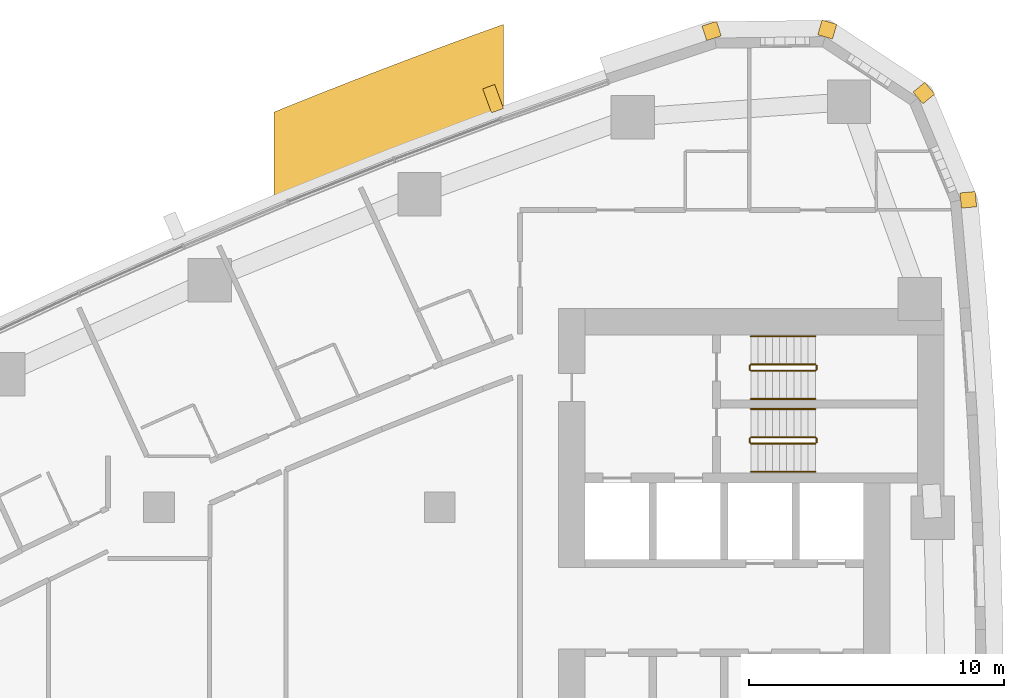
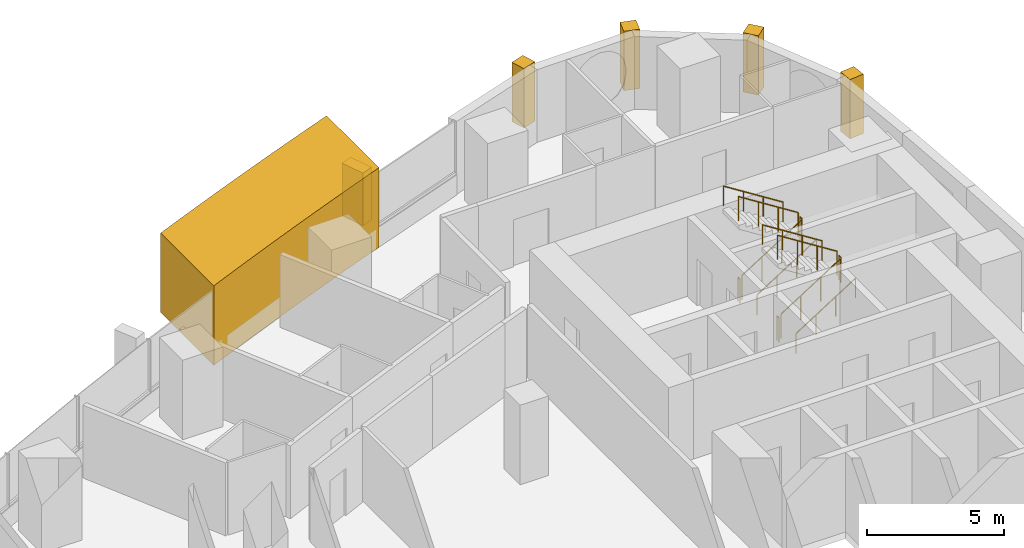
# One storey, part 17 of 17: 12 railings, 6 coverings.
"""IFC4 building model written with IfcOpenShell, lengths in metres."""

from ifc_helpers import new_model, si_unit, direction, frame, frame_2d, origin, origin_2d, place, context, subcontext, project, spatial, polyline, rectangle, circle, outline, extrude, material, layer, layer_set, type_object, element, save


model = new_model("IFC4")

# Units and contexts
model_context = context("Model", 3, precision=1e-05, world=origin(), true_north=direction((0.0, 1.0)))
body_context = subcontext(model_context, "Body", "Model", "MODEL_VIEW")
ifc_project = project(units=[si_unit("LENGTHUNIT", "METRE"), si_unit("AREAUNIT", "SQUARE_METRE"), si_unit("VOLUMEUNIT", "CUBIC_METRE"), si_unit("PLANEANGLEUNIT", "RADIAN"), si_unit("MASSUNIT", "GRAM", prefix="KILO")], contexts=[model_context])

# Site, building, storey
site_placement = place(None, origin())
site = spatial("IfcSite", under=ifc_project, at=site_placement, CompositionType="ELEMENT")
building_placement = place(site_placement, origin())
building = spatial("IfcBuilding", under=site, at=building_placement, Name="Ostrand Prow Hotel Tower", CompositionType="ELEMENT")
storey_placement = place(building_placement, frame((0.0, 0.0, 106.199951171875)))
storey = spatial("IfcBuildingStorey", under=building, at=storey_placement, Name="L25", CompositionType="ELEMENT", Elevation=106.199951171875)

# Coverings
ifc_material_1 = material(Name="Limestone cladding", Category="masonry")
ifc_layer_1 = layer(ifc_material_1, 5.0)
ifc_layer_set_1 = layer_set([ifc_layer_1], Name="Limestone cladding")
covering_type_1 = type_object("IfcCoveringType", Name="Portal jamb pilaster limestone", PredefinedType="CLADDING", material=ifc_layer_set_1)
covering_1_placement = place(storey_placement, origin())
element("IfcCovering", 1, at=covering_1_placement, inside=storey, type_object=covering_type_1, Name="Portal jamb NB L25", PredefinedType="CLADDING", context=body_context, shape_type="SweptSolid", body=[
    extrude(outline(polyline([(38.5, 20.59423828125), (39.5, 21.006103515625), (40.5, 21.412353515625), (41.5, 21.812744140625), (42.5, 22.207763671875), (43.5, 22.59716796875), (44.5, 22.98095703125), (45.5, 23.359130859375), (46.5, 23.732177734375), (47.5, 24.099609375), (47.5, 27.927490234375), (46.5, 27.566650390625), (45.5, 27.200439453125), (44.5, 26.8291015625), (43.5, 26.4521484375), (42.5, 26.06982421875), (41.5, 25.68212890625), (40.5, 25.2890625), (39.5, 24.890380859375), (38.5, 24.486083984375), (38.5, 20.59423828125)])), origin(), (0.0, 0.0, 1.0), 3.550048828125),
])
ifc_material_2 = material(Name="Limestone cladding", Category="masonry")
ifc_layer_2 = layer(ifc_material_2, 0.5)
ifc_layer_set_2 = layer_set([ifc_layer_2], Name="Limestone cladding")
covering_type_2 = type_object("IfcCoveringType", Name="Precast stone fin 500x900", PredefinedType="CLADDING", material=ifc_layer_set_2)
covering_2_placement = place(storey_placement, frame((47.265380859375, 24.546142578125, 0.900146484375), z_axis=(0.0, 0.0, 1.0), x_axis=(-0.342762160206, 0.93942221686, 0.0)))
element("IfcCovering", 2, at=covering_2_placement, inside=storey, type_object=covering_type_2, Name="Stone fin N 2", PredefinedType="CLADDING", context=body_context, shape_type="SweptSolid", body=[
    extrude(rectangle(XDim=1.0, YDim=0.5, at=frame_2d((0.5, 0.0))), origin(), (0.0, 0.0, 1.0), 2.349853515625),
])
ifc_material_3 = material(Name="Limestone cladding", Category="masonry")
ifc_layer_3 = layer(ifc_material_3, 0.60009765625)
ifc_layer_set_3 = layer_set([ifc_layer_3], Name="Limestone cladding")
covering_type_3 = type_object("IfcCoveringType", Name="Precast stone prow rib 600x600", PredefinedType="CLADDING", material=ifc_layer_set_3)
for number, where, z_axis, x_axis, name in (
    (3, (65.41650390625, 21.02099609375, 0.60009765625), (0.0, 0.0, 1.0), (0.99529571972, 0.096883591531, 0.0), "Stone corner rib 15a"),
    (4, (63.74365234375, 25.043212890625, 0.60009765625), (0.0, 0.0, 1.0), (0.770318500913, 0.637659319034, 0.0), "Stone corner rib 16a"),
):
    element("IfcCovering", number, at=place(storey_placement, frame(where, z_axis=z_axis, x_axis=x_axis)), inside=storey, type_object=covering_type_3, Name=name, PredefinedType="CLADDING", context=body_context, shape_type="SweptSolid", body=[
        extrude(rectangle(XDim=0.599853515625, YDim=0.60009765625, at=frame_2d((0.2998046875, 0.0))), origin(), (0.0, 0.0, 1.0), 2.64990234375),
    ])
covering_3_placement = place(storey_placement, frame((60.104736328125, 27.437744140625, 0.60009765625), z_axis=(0.0, 0.0, 1.0), x_axis=(0.280734221166, 0.959785547436, 0.0)))
element("IfcCovering", 5, at=covering_3_placement, inside=storey, type_object=covering_type_3, Name="Stone corner rib 17a", PredefinedType="CLADDING", context=body_context, shape_type="SweptSolid", body=[
    extrude(rectangle(XDim=0.60009765625, YDim=0.60009765625, at=frame_2d((0.300048828125, 0.0))), origin(), (0.0, 0.0, 1.0), 2.64990234375),
])
covering_4_placement = place(storey_placement, frame((55.7490234375, 27.3828125, 0.60009765625), z_axis=(0.0, 0.0, 1.0), x_axis=(-0.305218682065, 0.952282288042, 0.0)))
element("IfcCovering", 6, at=covering_4_placement, inside=storey, type_object=covering_type_3, Name="Stone corner rib 17b", PredefinedType="CLADDING", context=body_context, shape_type="SweptSolid", body=[
    extrude(rectangle(XDim=0.599853515625, YDim=0.60009765625, at=frame_2d((0.2998046875, 0.0))), origin(), (0.0, 0.0, 1.0), 2.64990234375),
])

# Railings
ifc_material_4 = material(Name="Painted steel", Category="steel")
railing_type_1 = type_object("IfcRailingType", Name="Stair guard 1100", PredefinedType="GUARDRAIL", material=ifc_material_4)
railing_1_placement = place(storey_placement, frame((57.199951171875, 11.5, 0.177490234375)))
element("IfcRailing", 7, at=railing_1_placement, inside=storey, type_object=railing_type_1, Name="L25 ST1C stair guard 1", PredefinedType="GUARDRAIL", context=body_context, shape_type="SweptSolid", body=[
    extrude(circle(Radius=0.02392578125, at=origin_2d()), frame((0.0, 0.0, 1.076171875), z_axis=(0.84456994832, 0.0, 0.535445237532), x_axis=(0.0, 1.0, 0.0)), (0.0, 0.0, 1.0), 2.98388671875),
    extrude(circle(Radius=0.02099609375, at=origin_2d()), origin(), (0.0, 0.0, 1.0), 1.052001953125),
    extrude(circle(Radius=0.02099609375, at=origin_2d()), frame((0.840087890625, 0.0, 0.532470703125)), (0.0, 0.0, 1.0), 1.052001953125),
    extrude(circle(Radius=0.02099609375, at=origin_2d()), frame((1.679931640625, 0.0, 1.065185546875)), (0.0, 0.0, 1.0), 1.052001953125),
    extrude(circle(Radius=0.02099609375, at=origin_2d()), frame((2.52001953125, 0.0, 1.59765625)), (0.0, 0.0, 1.0), 1.052001953125),
])
railing_2_placement = place(storey_placement, frame((59.77001953125, 11.550048828125, 1.775146484375)))
element("IfcRailing", 8, at=railing_2_placement, inside=storey, type_object=railing_type_1, Name="L25 ST1C stair guard 2", PredefinedType="GUARDRAIL", context=body_context, shape_type="SweptSolid", body=[
    extrude(circle(Radius=0.02392578125, at=origin_2d()), frame((0.0, 0.0, 1.076171875), z_axis=(0.0, 1.0, 0.0), x_axis=(-1.0, 0.0, 0.0)), (0.0, 0.0, 1.0), 0.14990234375),
    extrude(circle(Radius=0.02099609375, at=origin_2d()), origin(), (0.0, 0.0, 1.0), 1.052001953125),
    extrude(circle(Radius=0.02099609375, at=origin_2d()), frame((0.0, 0.14990234375, 0.0)), (0.0, 0.0, 1.0), 1.052001953125),
])
railing_3_placement = place(storey_placement, frame((59.719970703125, 11.75, 1.95263671875)))
element("IfcRailing", 9, at=railing_3_placement, inside=storey, type_object=railing_type_1, Name="L25 ST1C stair guard 3", PredefinedType="GUARDRAIL", context=body_context, shape_type="SweptSolid", body=[
    extrude(circle(Radius=0.02392578125, at=origin_2d()), frame((0.0, 0.0, 1.076171875), z_axis=(-0.84460694969, 0.0, 0.535386869969), x_axis=(0.0, -1.0, 0.0)), (0.0, 0.0, 1.0), 2.983642578125),
    extrude(circle(Radius=0.02099609375, at=origin_2d()), origin(), (0.0, 0.0, 1.0), 1.052001953125),
    extrude(circle(Radius=0.02099609375, at=origin_2d()), frame((-0.840087890625, 0.0, 0.532470703125)), (0.0, 0.0, 1.0), 1.052001953125),
    extrude(circle(Radius=0.02099609375, at=origin_2d()), frame((-1.679931640625, 0.0, 1.06494140625)), (0.0, 0.0, 1.0), 1.052001953125),
    extrude(circle(Radius=0.02099609375, at=origin_2d()), frame((-2.52001953125, 0.0, 1.597412109375)), (0.0, 0.0, 1.0), 1.052001953125),
])
railing_4_placement = place(storey_placement, frame((57.14990234375, 11.550048828125, 0.0)))
element("IfcRailing", 10, at=railing_4_placement, inside=storey, type_object=railing_type_1, Name="L25 ST1C stair guard 4", PredefinedType="GUARDRAIL", context=body_context, shape_type="SweptSolid", body=[
    extrude(circle(Radius=0.02392578125, at=origin_2d()), frame((0.0, 0.0, 1.076171875), z_axis=(0.0, 1.0, 0.0), x_axis=(-1.0, 0.0, 0.0)), (0.0, 0.0, 1.0), 0.14990234375),
    extrude(circle(Radius=0.02099609375, at=origin_2d()), origin(), (0.0, 0.0, 1.0), 1.052001953125),
    extrude(circle(Radius=0.02099609375, at=origin_2d()), frame((0.0, 0.14990234375, 0.0)), (0.0, 0.0, 1.0), 1.052001953125),
])
railing_5_placement = place(storey_placement, frame((57.199951171875, 14.35009765625, 0.177490234375)))
element("IfcRailing", 11, at=railing_5_placement, inside=storey, type_object=railing_type_1, Name="L25 ST3C stair guard 1", PredefinedType="GUARDRAIL", context=body_context, shape_type="SweptSolid", body=[
    extrude(circle(Radius=0.02392578125, at=origin_2d()), frame((0.0, 0.0, 1.076171875), z_axis=(0.84456994832, 0.0, 0.535445237532), x_axis=(0.0, 1.0, 0.0)), (0.0, 0.0, 1.0), 2.98388671875),
    extrude(circle(Radius=0.02099609375, at=origin_2d()), origin(), (0.0, 0.0, 1.0), 1.052001953125),
    extrude(circle(Radius=0.02099609375, at=origin_2d()), frame((0.840087890625, 0.0, 0.532470703125)), (0.0, 0.0, 1.0), 1.052001953125),
    extrude(circle(Radius=0.02099609375, at=origin_2d()), frame((1.679931640625, 0.0, 1.065185546875)), (0.0, 0.0, 1.0), 1.052001953125),
    extrude(circle(Radius=0.02099609375, at=origin_2d()), frame((2.52001953125, 0.0, 1.59765625)), (0.0, 0.0, 1.0), 1.052001953125),
])
railing_6_placement = place(storey_placement, frame((59.77001953125, 14.39990234375, 1.775146484375)))
element("IfcRailing", 12, at=railing_6_placement, inside=storey, type_object=railing_type_1, Name="L25 ST3C stair guard 2", PredefinedType="GUARDRAIL", context=body_context, shape_type="SweptSolid", body=[
    extrude(circle(Radius=0.02392578125, at=origin_2d()), frame((0.0, 0.0, 1.076171875), z_axis=(0.0, 1.0, 0.0), x_axis=(-1.0, 0.0, 0.0)), (0.0, 0.0, 1.0), 0.150146484375),
    extrude(circle(Radius=0.02099609375, at=origin_2d()), origin(), (0.0, 0.0, 1.0), 1.052001953125),
    extrude(circle(Radius=0.02099609375, at=origin_2d()), frame((0.0, 0.150146484375, 0.0)), (0.0, 0.0, 1.0), 1.052001953125),
])
railing_7_placement = place(storey_placement, frame((59.719970703125, 14.60009765625, 1.95263671875)))
element("IfcRailing", 13, at=railing_7_placement, inside=storey, type_object=railing_type_1, Name="L25 ST3C stair guard 3", PredefinedType="GUARDRAIL", context=body_context, shape_type="SweptSolid", body=[
    extrude(circle(Radius=0.02392578125, at=origin_2d()), frame((0.0, 0.0, 1.076171875), z_axis=(-0.84460694969, 0.0, 0.535386869969), x_axis=(0.0, -1.0, 0.0)), (0.0, 0.0, 1.0), 2.983642578125),
    extrude(circle(Radius=0.02099609375, at=origin_2d()), origin(), (0.0, 0.0, 1.0), 1.052001953125),
    extrude(circle(Radius=0.02099609375, at=origin_2d()), frame((-0.840087890625, 0.0, 0.532470703125)), (0.0, 0.0, 1.0), 1.052001953125),
    extrude(circle(Radius=0.02099609375, at=origin_2d()), frame((-1.679931640625, 0.0, 1.06494140625)), (0.0, 0.0, 1.0), 1.052001953125),
    extrude(circle(Radius=0.02099609375, at=origin_2d()), frame((-2.52001953125, 0.0, 1.597412109375)), (0.0, 0.0, 1.0), 1.052001953125),
])
railing_8_placement = place(storey_placement, frame((57.14990234375, 14.39990234375, 0.0)))
element("IfcRailing", 14, at=railing_8_placement, inside=storey, type_object=railing_type_1, Name="L25 ST3C stair guard 4", PredefinedType="GUARDRAIL", context=body_context, shape_type="SweptSolid", body=[
    extrude(circle(Radius=0.02392578125, at=origin_2d()), frame((0.0, 0.0, 1.076171875), z_axis=(0.0, 1.0, 0.0), x_axis=(-1.0, 0.0, 0.0)), (0.0, 0.0, 1.0), 0.150146484375),
    extrude(circle(Radius=0.02099609375, at=origin_2d()), origin(), (0.0, 0.0, 1.0), 1.052001953125),
    extrude(circle(Radius=0.02099609375, at=origin_2d()), frame((0.0, 0.150146484375, 0.0)), (0.0, 0.0, 1.0), 1.052001953125),
])
ifc_material_5 = material(Name="Stainless steel", Category="steel")
railing_type_2 = type_object("IfcRailingType", Name="Stair handrail 900", PredefinedType="HANDRAIL", material=ifc_material_5)
railing_9_placement = place(storey_placement, frame((57.199951171875, 10.39990234375, 0.177490234375)))
element("IfcRailing", 15, at=railing_9_placement, inside=storey, type_object=railing_type_2, Name="L25 ST1C stair handrail 1", PredefinedType="HANDRAIL", context=body_context, shape_type="SweptSolid", body=[
    extrude(circle(Radius=0.02392578125, at=origin_2d()), frame((0.0, 0.0, 0.8759765625), z_axis=(0.84456994832, 0.0, 0.535445237532), x_axis=(0.0, 1.0, 0.0)), (0.0, 0.0, 1.0), 2.98388671875),
    extrude(circle(Radius=0.02099609375, at=origin_2d()), origin(), (0.0, 0.0, 1.0), 0.851806640625),
    extrude(circle(Radius=0.02099609375, at=origin_2d()), frame((0.840087890625, 0.0, 0.532470703125)), (0.0, 0.0, 1.0), 0.851806640625),
    extrude(circle(Radius=0.02099609375, at=origin_2d()), frame((1.679931640625, 0.0, 1.065185546875)), (0.0, 0.0, 1.0), 0.851806640625),
    extrude(circle(Radius=0.02099609375, at=origin_2d()), frame((2.52001953125, 0.0, 1.59765625)), (0.0, 0.0, 1.0), 0.851806640625),
])
railing_10_placement = place(storey_placement, frame((59.719970703125, 12.85009765625, 1.95263671875)))
element("IfcRailing", 16, at=railing_10_placement, inside=storey, type_object=railing_type_2, Name="L25 ST1C stair handrail 2", PredefinedType="HANDRAIL", context=body_context, shape_type="SweptSolid", body=[
    extrude(circle(Radius=0.02392578125, at=origin_2d()), frame((0.0, 0.0, 0.8759765625), z_axis=(-0.84460694969, 0.0, 0.535386869969), x_axis=(0.0, -1.0, 0.0)), (0.0, 0.0, 1.0), 2.983642578125),
    extrude(circle(Radius=0.02099609375, at=origin_2d()), origin(), (0.0, 0.0, 1.0), 0.851806640625),
    extrude(circle(Radius=0.02099609375, at=origin_2d()), frame((-0.840087890625, 0.0, 0.532470703125)), (0.0, 0.0, 1.0), 0.851806640625),
    extrude(circle(Radius=0.02099609375, at=origin_2d()), frame((-1.679931640625, 0.0, 1.06494140625)), (0.0, 0.0, 1.0), 0.851806640625),
    extrude(circle(Radius=0.02099609375, at=origin_2d()), frame((-2.52001953125, 0.0, 1.597412109375)), (0.0, 0.0, 1.0), 0.851806640625),
])
railing_11_placement = place(storey_placement, frame((57.199951171875, 13.25, 0.177490234375)))
element("IfcRailing", 17, at=railing_11_placement, inside=storey, type_object=railing_type_2, Name="L25 ST3C stair handrail 1", PredefinedType="HANDRAIL", context=body_context, shape_type="SweptSolid", body=[
    extrude(circle(Radius=0.02392578125, at=origin_2d()), frame((0.0, 0.0, 0.8759765625), z_axis=(0.84456994832, 0.0, 0.535445237532), x_axis=(0.0, 1.0, 0.0)), (0.0, 0.0, 1.0), 2.98388671875),
    extrude(circle(Radius=0.02099609375, at=origin_2d()), origin(), (0.0, 0.0, 1.0), 0.851806640625),
    extrude(circle(Radius=0.02099609375, at=origin_2d()), frame((0.840087890625, 0.0, 0.532470703125)), (0.0, 0.0, 1.0), 0.851806640625),
    extrude(circle(Radius=0.02099609375, at=origin_2d()), frame((1.679931640625, 0.0, 1.065185546875)), (0.0, 0.0, 1.0), 0.851806640625),
    extrude(circle(Radius=0.02099609375, at=origin_2d()), frame((2.52001953125, 0.0, 1.59765625)), (0.0, 0.0, 1.0), 0.851806640625),
])
railing_12_placement = place(storey_placement, frame((59.719970703125, 15.699951171875, 1.95263671875)))
element("IfcRailing", 18, at=railing_12_placement, inside=storey, type_object=railing_type_2, Name="L25 ST3C stair handrail 2", PredefinedType="HANDRAIL", context=body_context, shape_type="SweptSolid", body=[
    extrude(circle(Radius=0.02392578125, at=origin_2d()), frame((0.0, 0.0, 0.8759765625), z_axis=(-0.84460694969, 0.0, 0.535386869969), x_axis=(0.0, -1.0, 0.0)), (0.0, 0.0, 1.0), 2.983642578125),
    extrude(circle(Radius=0.02099609375, at=origin_2d()), origin(), (0.0, 0.0, 1.0), 0.851806640625),
    extrude(circle(Radius=0.02099609375, at=origin_2d()), frame((-0.840087890625, 0.0, 0.532470703125)), (0.0, 0.0, 1.0), 0.851806640625),
    extrude(circle(Radius=0.02099609375, at=origin_2d()), frame((-1.679931640625, 0.0, 1.06494140625)), (0.0, 0.0, 1.0), 0.851806640625),
    extrude(circle(Radius=0.02099609375, at=origin_2d()), frame((-2.52001953125, 0.0, 1.597412109375)), (0.0, 0.0, 1.0), 0.851806640625),
])

save(model, "model.ifc")
